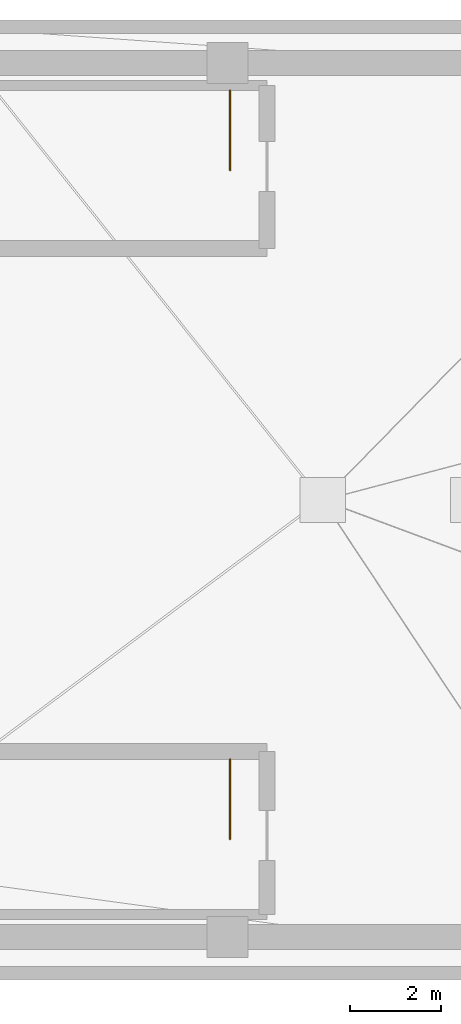
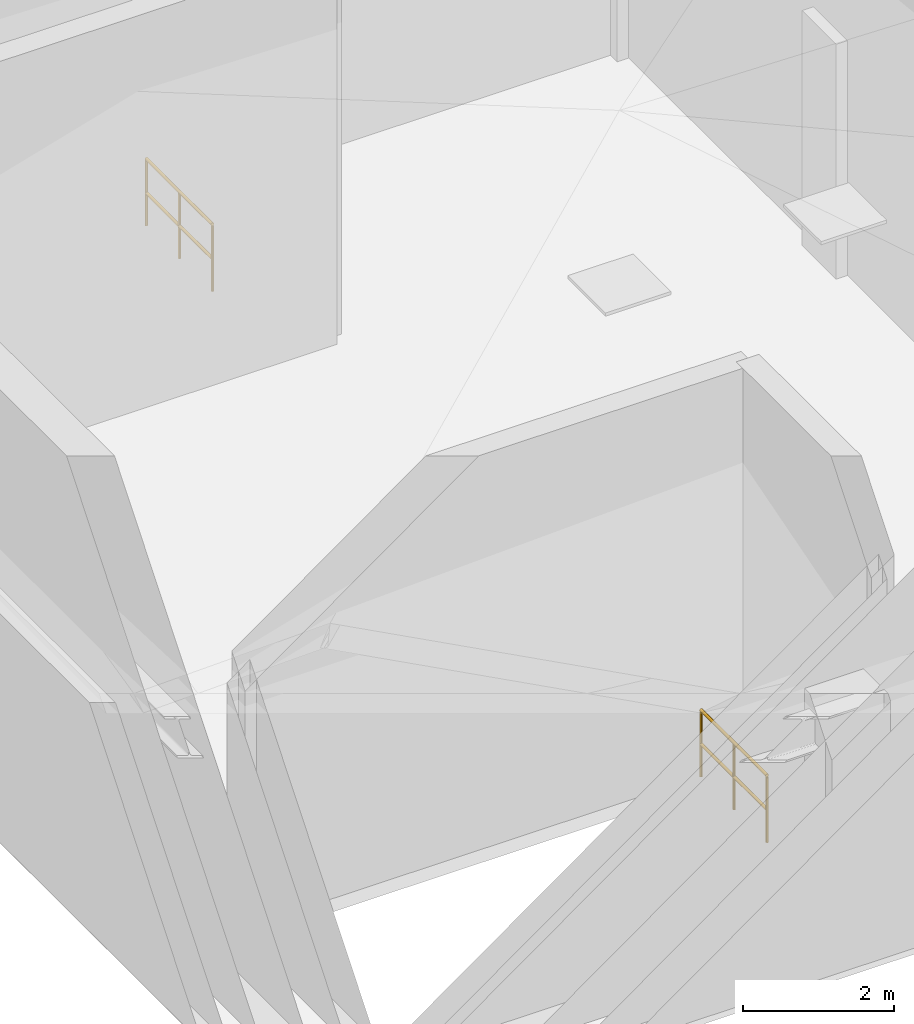
# One storey, part 3 of 3: 2 railings.
"""IFC4 building model written with IfcOpenShell, lengths in metres."""

from ifc_helpers import new_model, si_unit, direction, frame, origin, origin_2d, place, context, subcontext, project, spatial, circle, extrude, material, type_object, element, save


model = new_model("IFC4")

# Units and contexts
model_context = context("Model", 3, precision=1e-05, world=origin(), true_north=direction((0.0, 1.0)))
body_context = subcontext(model_context, "Body", "Model", "MODEL_VIEW")
ifc_project = project(units=[si_unit("LENGTHUNIT", "METRE"), si_unit("AREAUNIT", "SQUARE_METRE"), si_unit("VOLUMEUNIT", "CUBIC_METRE"), si_unit("PLANEANGLEUNIT", "RADIAN"), si_unit("MASSUNIT", "GRAM", prefix="KILO")], contexts=[model_context])

# Site, building, storey
site_placement = place(None, origin())
site = spatial("IfcSite", under=ifc_project, at=site_placement, CompositionType="ELEMENT")
building_placement = place(site_placement, origin())
building = spatial("IfcBuilding", under=site, at=building_placement, Name="An Khanh Terracotta Commons", CompositionType="ELEMENT")
storey_placement = place(building_placement, frame((0.0, 0.0, 335.39990234375)))
storey = spatial("IfcBuildingStorey", under=building, at=storey_placement, Name="L83 Crown Glass-Point Apex", CompositionType="ELEMENT", Elevation=335.39990234375)

# Railings
ifc_material = material(Name="Powder-Coated Steel S355J2", Category="steel")
railing_type = type_object("IfcRailingType", Name="RAIL-STAIR-GUARD-1100", PredefinedType="BALUSTRADE", material=ifc_material)
for number, where, name in (
    (1, (29.4599609375, 33.0, 0.0), "L83 Crown Glass-Point Apex ST-01 top well guard 1"),
    (2, (29.4599609375, 18.300048828125, 0.0), "L83 Crown Glass-Point Apex ST-02 top well guard 1"),
):
    element("IfcRailing", number, at=place(storey_placement, frame(where)), inside=storey, type_object=railing_type, Name=name, PredefinedType="BALUSTRADE", context=body_context, shape_type="SweptSolid", body=[
        extrude(circle(Radius=0.02392578125, at=origin_2d()), frame((0.0, 0.0, 1.076171875), z_axis=(0.0, -1.0, 0.0), x_axis=(1.0, 0.0, 0.0)), (0.0, 0.0, 1.0), 1.75),
        extrude(circle(Radius=0.02392578125, at=origin_2d()), frame((0.0, 0.0, 0.52587890625), z_axis=(0.0, -1.0, 0.0), x_axis=(1.0, 0.0, 0.0)), (0.0, 0.0, 1.0), 1.75),
        extrude(circle(Radius=0.02099609375, at=origin_2d()), origin(), (0.0, 0.0, 1.0), 1.052001953125),
        extrude(circle(Radius=0.02099609375, at=origin_2d()), frame((0.0, -0.875, 0.0)), (0.0, 0.0, 1.0), 1.052001953125),
        extrude(circle(Radius=0.02099609375, at=origin_2d()), frame((0.0, -1.75, 0.0)), (0.0, 0.0, 1.0), 1.052001953125),
    ])

save(model, "model.ifc")
